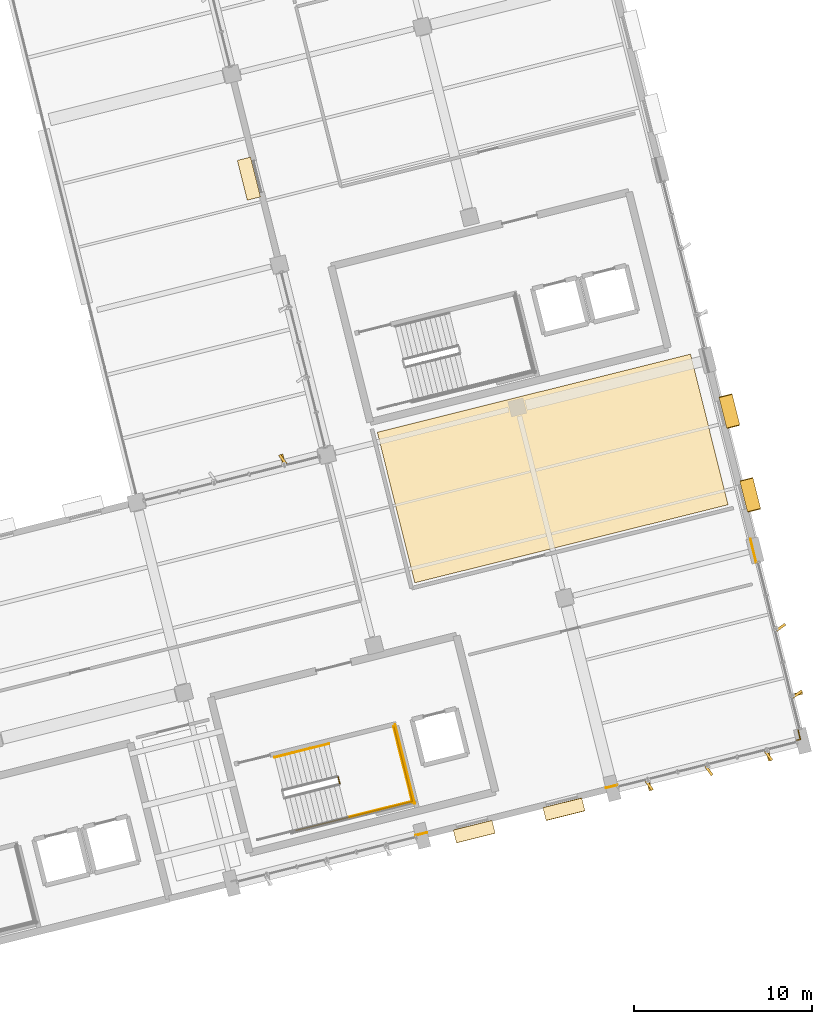
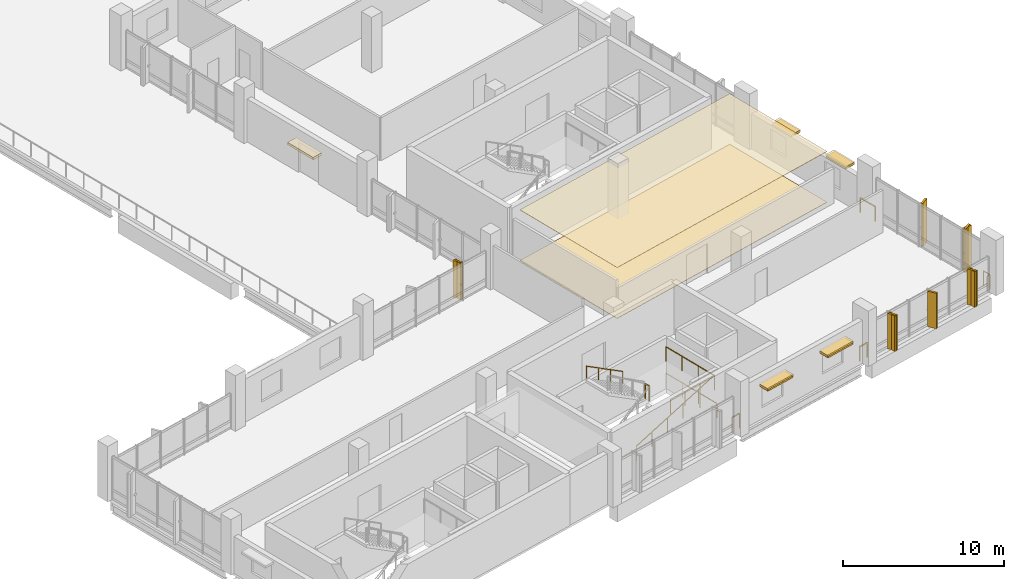
# One storey, part 40 of 42: 11 coverings, 10 railings, 10 shading devices.
"""IFC4 building model written with IfcOpenShell, lengths in metres."""

from ifc_helpers import new_model, si_unit, direction, frame, origin, origin_2d, place, context, subcontext, project, spatial, polyline, rectangle, outline, extrude, material, layer, layer_set, type_object, element, save


model = new_model("IFC4")

# Units and contexts
model_context = context("Model", 3, precision=1e-05, world=origin(), true_north=direction((0.0, 1.0)))
body_context = subcontext(model_context, "Body", "Model", "MODEL_VIEW")
ifc_project = project(units=[si_unit("LENGTHUNIT", "METRE"), si_unit("AREAUNIT", "SQUARE_METRE"), si_unit("VOLUMEUNIT", "CUBIC_METRE"), si_unit("PLANEANGLEUNIT", "RADIAN"), si_unit("MASSUNIT", "GRAM", prefix="KILO")], contexts=[model_context])

# Site, building, storey
site_placement = place(None, origin())
site = spatial("IfcSite", under=ifc_project, at=site_placement, CompositionType="ELEMENT")
building_placement = place(site_placement, origin())
building = spatial("IfcBuilding", under=site, at=building_placement, Name="Khorjan Park Terminus", CompositionType="ELEMENT")
storey_placement = place(building_placement, frame((0.0, 0.0, 20.4)))
storey = spatial("IfcBuildingStorey", under=building, at=storey_placement, Name="L04", CompositionType="ELEMENT", Elevation=20.4)

# Coverings
ifc_material_1 = material(Name="Perforated Acoustic Aluminium Baffle Ceiling", Category="aluminium")
ifc_layer_1 = layer(ifc_material_1, 0.03)
ifc_layer_set_1 = layer_set([ifc_layer_1], Name="Perforated Acoustic Aluminium Baffle Ceiling")
covering_type_1 = type_object("IfcCoveringType", Name="CV-CLG-ACS", PredefinedType="CEILING", material=ifc_layer_set_1)
covering_1_placement = place(storey_placement, frame((0.0, 0.0, 3.845)))
element("IfcCovering", 1, at=covering_1_placement, inside=storey, type_object=covering_type_1, Name="Flush acoustic baffle ceiling AC-60 (L04-SIM)", PredefinedType="CEILING", context=body_context, shape_type="SweptSolid", body=[
    extrude(outline(polyline([(225.8641, 31.1998), (208.3018, 26.8211), (206.1971, 35.2626), (223.7594, 39.6413), (225.8641, 31.1998)])), origin(), (0.0, 0.0, 1.0), 0.03),
])
ifc_material_2 = material(Name="Pigmented Precast GRC", Category="concrete")
ifc_layer_2 = layer(ifc_material_2, 0.16)
ifc_layer_set_2 = layer_set([ifc_layer_2], Name="Pigmented Precast GRC")
covering_type_2 = type_object("IfcCoveringType", Name="CV-FIN-GRC", PredefinedType="CLADDING", material=ifc_layer_set_2)
for number, where, z_axis, x_axis, name in (
    (2, (221.4444, 15.4579, -0.02), (0.0, 0.0, 1.0), (-0.2419218956, 0.970295726276, 0.0), "Projecting desert-sandstone GRC facade fin CL-FN1 (CW-V5-S-L04-B05-1)"),
    (3, (228.1335, 17.1257, -0.02), (0.0, 0.0, 1.0), (-0.2419218956, 0.970295726276, 0.0), "Projecting desert-sandstone GRC facade fin CL-FN1 (CW-V5-S-L04-B05-5)"),
):
    element("IfcCovering", number, at=place(storey_placement, frame(where, z_axis=z_axis, x_axis=x_axis)), inside=storey, type_object=covering_type_2, Name=name, PredefinedType="CLADDING", context=body_context, shape_type="SweptSolid", body=[
        extrude(rectangle(XDim=0.58, YDim=0.16, at=origin_2d()), origin(), (0.0, 0.0, 1.0), 2.69),
    ])
covering_2_placement = place(storey_placement, frame((229.7531, 20.5833, -0.02), z_axis=(0.0, 0.0, 1.0), x_axis=(-0.970295726276, -0.2419218956, 0.0)))
element("IfcCovering", 4, at=covering_2_placement, inside=storey, type_object=covering_type_2, Name="Projecting desert-sandstone GRC facade fin CL-FN1 (CW-V5-E-L04-B01-1)", PredefinedType="CLADDING", context=body_context, shape_type="SweptSolid", body=[
    extrude(rectangle(XDim=0.58, YDim=0.16, at=origin_2d()), origin(), (0.0, 0.0, 1.0), 3.295),
])
covering_3_placement = place(storey_placement, frame((200.8999, 33.7409, -0.02), z_axis=(0.0, 0.0, 1.0), x_axis=(0.2419218956, -0.970295726276, 0.0)))
element("IfcCovering", 5, at=covering_3_placement, inside=storey, type_object=covering_type_2, Name="Projecting desert-sandstone GRC facade fin CL-FN1 (CW-V5-NW2-L04-B01-1)", PredefinedType="CLADDING", context=body_context, shape_type="SweptSolid", body=[
    extrude(rectangle(XDim=0.58, YDim=0.16, at=origin_2d()), origin(), (0.0, 0.0, 1.0), 2.785),
])
ifc_material_3 = material(Name="Polished Desert Limestone Terrazzo", Category="masonry")
ifc_layer_3 = layer(ifc_material_3, 0.035)
ifc_layer_set_3 = layer_set([ifc_layer_3], Name="Polished Desert Limestone Terrazzo")
covering_type_3 = type_object("IfcCoveringType", Name="CV-FLR-TRZ", PredefinedType="FLOORING", material=ifc_layer_set_3)
covering_4_placement = place(storey_placement, origin())
element("IfcCovering", 6, at=covering_4_placement, inside=storey, type_object=covering_type_3, Name="Architectural floor finish FF-TRZ (L04-SIM)", PredefinedType="FLOORING", context=body_context, shape_type="SweptSolid", body=[
    extrude(outline(polyline([(225.8641, 31.1998), (208.3018, 26.8211), (206.1971, 35.2626), (223.7594, 39.6413), (225.8641, 31.1998)])), origin(), (0.0, 0.0, 1.0), 0.035),
])
ifc_layer_4 = layer(ifc_material_2, 0.18)
ifc_layer_set_4 = layer_set([ifc_layer_4], Name="Pigmented Precast GRC")
covering_type_4 = type_object("IfcCoveringType", Name="CV-HOOD-GRC", PredefinedType="CLADDING", material=ifc_layer_set_4)
for number, where, z_axis, x_axis, name in (
    (7, (211.6326, 12.8725, 2.58), (0.0, 0.0, 1.0), (0.970297165188, 0.241916124366, 0.0), "Projecting desert-sandstone GRC window eyebrow CL-HD1 (EW-V5-S-L04-B04-1)"),
    (8, (216.6635, 14.1268, 2.58), (0.0, 0.0, 1.0), (0.970297165188, 0.241916124366, 0.0), "Projecting desert-sandstone GRC window eyebrow CL-HD1 (EW-V5-S-L04-B04-2)"),
):
    element("IfcCovering", number, at=place(storey_placement, frame(where, z_axis=z_axis, x_axis=x_axis)), inside=storey, type_object=covering_type_4, Name=name, PredefinedType="CLADDING", context=body_context, shape_type="SweptSolid", body=[
        extrude(rectangle(XDim=2.24, YDim=0.74, at=origin_2d()), origin(), (0.0, 0.0, 1.0), 0.16),
    ])
for number, where, z_axis, x_axis, name in (
    (9, (227.1081, 31.7494, 2.43), (0.0, 0.0, 1.0), (-0.241919949632, 0.970296211458, 0.0), "Projecting desert-sandstone GRC window eyebrow CL-HD1 (EW-V5-E-L04-B02-1)"),
    (10, (225.9385, 36.4407, 2.43), (0.0, 0.0, 1.0), (-0.241919949632, 0.970296211458, 0.0), "Projecting desert-sandstone GRC window eyebrow CL-HD1 (EW-V5-E-L04-B02-2)"),
):
    element("IfcCovering", number, at=place(storey_placement, frame(where, z_axis=z_axis, x_axis=x_axis)), inside=storey, type_object=covering_type_4, Name=name, PredefinedType="CLADDING", context=body_context, shape_type="SweptSolid", body=[
        extrude(rectangle(XDim=1.84, YDim=0.74, at=origin_2d()), origin(), (0.0, 0.0, 1.0), 0.16),
    ])
covering_5_placement = place(storey_placement, frame((198.999, 49.479, 2.31), z_axis=(0.0, 0.0, 1.0), x_axis=(0.241924839689, -0.970294992227, 0.0)))
element("IfcCovering", 11, at=covering_5_placement, inside=storey, type_object=covering_type_4, Name="Projecting pigmented-GRC entrance canopy hood CL-HD1 (EW-V5-NW1-L04-B02)", PredefinedType="CLADDING", context=body_context, shape_type="SweptSolid", body=[
    extrude(rectangle(XDim=2.3, YDim=0.76, at=origin_2d()), origin(), (0.0, 0.0, 1.0), 0.18),
])

# Railings
ifc_material_4 = material(Name="Steel S355", Category="steel")
railing_type_1 = type_object("IfcRailingType", Name="GR-112", PredefinedType="GUARDRAIL", material=ifc_material_4)
railing_1_placement = place(storey_placement, frame((204.094, 15.5688, 2.1)))
element("IfcRailing", 12, at=railing_1_placement, inside=storey, type_object=railing_type_1, Name="L04 ST-05 stair guard 2", PredefinedType="GUARDRAIL", context=body_context, shape_type="SweptSolid", body=[
    extrude(rectangle(XDim=0.048, YDim=0.048, at=origin_2d()), frame((0.0, 0.0, 1.096), z_axis=(-0.241947338122, 0.970289382388, 0.0), x_axis=(-0.970289382388, -0.241947338122, 0.0)), (0.0, 0.0, 1.0), 0.36),
    extrude(rectangle(XDim=0.042, YDim=0.042, at=origin_2d()), origin(), (0.0, 0.0, 1.0), 1.072),
    extrude(rectangle(XDim=0.042, YDim=0.042, at=origin_2d()), frame((-0.0871, 0.3493, 0.0)), (0.0, 0.0, 1.0), 1.072),
])
railing_2_placement = place(storey_placement, frame((204.5172, 13.6646, 2.1)))
element("IfcRailing", 13, at=railing_2_placement, inside=storey, type_object=railing_type_1, Name="L04 ST-05 stair guard 3", PredefinedType="GUARDRAIL", context=body_context, shape_type="SweptSolid", body=[
    extrude(rectangle(XDim=0.048, YDim=0.048, at=origin_2d()), frame((0.0, 0.0, 1.096), z_axis=(0.970296897562, 0.241917197781, 0.0), x_axis=(-0.241917197781, 0.970296897562, 0.0)), (0.0, 0.0, 1.0), 3.805),
    extrude(rectangle(XDim=0.042, YDim=0.042, at=origin_2d()), origin(), (0.0, 0.0, 1.0), 1.072),
    extrude(rectangle(XDim=0.042, YDim=0.042, at=origin_2d()), frame((1.2307, 0.3068, 0.0)), (0.0, 0.0, 1.0), 1.072),
    extrude(rectangle(XDim=0.042, YDim=0.042, at=origin_2d()), frame((2.4613, 0.6137, 0.0)), (0.0, 0.0, 1.0), 1.072),
    extrude(rectangle(XDim=0.042, YDim=0.042, at=origin_2d()), frame((3.692, 0.9205, 0.0)), (0.0, 0.0, 1.0), 1.072),
])
railing_3_placement = place(storey_placement, frame((208.1727, 14.5245, 2.1)))
element("IfcRailing", 14, at=railing_3_placement, inside=storey, type_object=railing_type_1, Name="L04 ST-05 stair guard 4", PredefinedType="GUARDRAIL", context=body_context, shape_type="SweptSolid", body=[
    extrude(rectangle(XDim=0.048, YDim=0.048, at=origin_2d()), frame((0.0, 0.0, 1.096), z_axis=(-0.241904163851, 0.970300147125, 0.0), x_axis=(-0.970300147125, -0.241904163851, 0.0)), (0.0, 0.0, 1.0), 4.36),
    extrude(rectangle(XDim=0.042, YDim=0.042, at=origin_2d()), origin(), (0.0, 0.0, 1.0), 1.072),
    extrude(rectangle(XDim=0.042, YDim=0.042, at=origin_2d()), frame((-0.3516, 1.4102, 0.0)), (0.0, 0.0, 1.0), 1.072),
    extrude(rectangle(XDim=0.042, YDim=0.042, at=origin_2d()), frame((-0.7031, 2.8203, 0.0)), (0.0, 0.0, 1.0), 1.072),
    extrude(rectangle(XDim=0.042, YDim=0.042, at=origin_2d()), frame((-1.0547, 4.2305, 0.0)), (0.0, 0.0, 1.0), 1.072),
])
railing_4_placement = place(storey_placement, frame((208.294, 14.4517, 0.0)))
element("IfcRailing", 15, at=railing_4_placement, inside=storey, type_object=railing_type_1, Name="L04 ST-05 stair guard 9", PredefinedType="GUARDRAIL", context=body_context, shape_type="SweptSolid", body=[
    extrude(rectangle(XDim=0.048, YDim=0.048, at=origin_2d()), frame((0.0, 0.0, 1.096), z_axis=(-0.24193185783, 0.970293242359, 0.0), x_axis=(-0.970293242359, -0.24193185783, 0.0)), (0.0, 0.0, 1.0), 4.56),
    extrude(rectangle(XDim=0.042, YDim=0.042, at=origin_2d()), origin(), (0.0, 0.0, 1.0), 1.072),
    extrude(rectangle(XDim=0.042, YDim=0.042, at=origin_2d()), frame((-0.3677, 1.4748, 0.0)), (0.0, 0.0, 1.0), 1.072),
    extrude(rectangle(XDim=0.042, YDim=0.042, at=origin_2d()), frame((-0.7355, 2.9497, 0.0)), (0.0, 0.0, 1.0), 1.072),
    extrude(rectangle(XDim=0.042, YDim=0.042, at=origin_2d()), frame((-1.1032, 4.4245, 0.0)), (0.0, 0.0, 1.0), 1.072),
])
railing_5_placement = place(storey_placement, frame((201.6524, 12.94, 0.0)))
element("IfcRailing", 16, at=railing_5_placement, inside=storey, type_object=railing_type_1, Name="Core K5 stair side & landing guard GR-112 (L04)", PredefinedType="GUARDRAIL", context=body_context, shape_type="SweptSolid", body=[
    extrude(rectangle(XDim=0.048, YDim=0.048, at=origin_2d()), frame((0.0, 0.0, 1.096), z_axis=(0.926128560381, 0.230907183702, 0.298274642169), x_axis=(-0.241919330403, 0.970296365848, 0.0)), (0.0, 0.0, 1.0), 7.0405),
    extrude(rectangle(XDim=0.048, YDim=0.048, at=origin_2d()), frame((6.5204, 1.6257, 3.196), z_axis=(-0.2419363556, 0.970292120879, 0.0), x_axis=(-0.970292120879, -0.2419363556, 0.0)), (0.0, 0.0, 1.0), 4.2801),
    extrude(rectangle(XDim=0.042, YDim=0.042, at=origin_2d()), origin(), (0.0, 0.0, 1.0), 1.072),
    extrude(rectangle(XDim=0.042, YDim=0.042, at=origin_2d()), frame((1.3041, 0.3251, 0.42)), (0.0, 0.0, 1.0), 1.072),
    extrude(rectangle(XDim=0.042, YDim=0.042, at=origin_2d()), frame((2.6082, 0.6503, 0.84)), (0.0, 0.0, 1.0), 1.072),
    extrude(rectangle(XDim=0.042, YDim=0.042, at=origin_2d()), frame((3.9122, 0.9754, 1.26)), (0.0, 0.0, 1.0), 1.072),
    extrude(rectangle(XDim=0.042, YDim=0.042, at=origin_2d()), frame((5.2163, 1.3006, 1.68)), (0.0, 0.0, 1.0), 1.072),
    extrude(rectangle(XDim=0.042, YDim=0.042, at=origin_2d()), frame((6.5204, 1.6257, 2.1)), (0.0, 0.0, 1.0), 1.072),
    extrude(rectangle(XDim=0.042, YDim=0.042, at=origin_2d()), frame((6.1752, 3.01, 2.1)), (0.0, 0.0, 1.0), 1.072),
    extrude(rectangle(XDim=0.042, YDim=0.042, at=origin_2d()), frame((5.8301, 4.3943, 2.1)), (0.0, 0.0, 1.0), 1.072),
    extrude(rectangle(XDim=0.042, YDim=0.042, at=origin_2d()), frame((5.4849, 5.7786, 2.1)), (0.0, 0.0, 1.0), 1.072),
])
railing_6_placement = place(storey_placement, frame((208.9745, 12.8178, 0.0)))
element("IfcRailing", 17, at=railing_6_placement, inside=storey, type_object=railing_type_1, Name="Perimeter safety guard GR-112 (L04-98)", PredefinedType="GUARDRAIL", context=body_context, shape_type="SweptSolid", body=[
    extrude(rectangle(XDim=0.048, YDim=0.048, at=origin_2d()), frame((0.0, 0.0, 1.096), z_axis=(-0.970270049618, -0.242024855777, 0.0), x_axis=(0.242024855777, -0.970270049618, 0.0)), (0.0, 0.0, 1.0), 0.645),
    extrude(rectangle(XDim=0.042, YDim=0.042, at=origin_2d()), origin(), (0.0, 0.0, 1.0), 1.072),
    extrude(rectangle(XDim=0.042, YDim=0.042, at=origin_2d()), frame((-0.6258, -0.1561, 0.0)), (0.0, 0.0, 1.0), 1.072),
])
railing_7_placement = place(storey_placement, frame((219.6621, 15.4825, 0.0)))
element("IfcRailing", 18, at=railing_7_placement, inside=storey, type_object=railing_type_1, Name="Perimeter safety guard GR-112 (L04-99)", PredefinedType="GUARDRAIL", context=body_context, shape_type="SweptSolid", body=[
    extrude(rectangle(XDim=0.048, YDim=0.048, at=origin_2d()), frame((0.0, 0.0, 1.096), z_axis=(-0.970279129475, -0.241988452007, 0.0), x_axis=(0.241988452007, -0.970279129475, 0.0)), (0.0, 0.0, 1.0), 0.6451),
    extrude(rectangle(XDim=0.042, YDim=0.042, at=origin_2d()), origin(), (0.0, 0.0, 1.0), 1.072),
    extrude(rectangle(XDim=0.042, YDim=0.042, at=origin_2d()), frame((-0.6259, -0.1561, 0.0)), (0.0, 0.0, 1.0), 1.072),
])
railing_8_placement = place(storey_placement, frame((227.1205, 29.2611, 0.0)))
element("IfcRailing", 19, at=railing_8_placement, inside=storey, type_object=railing_type_1, Name="Perimeter safety guard GR-112 (L04-103)", PredefinedType="GUARDRAIL", context=body_context, shape_type="SweptSolid", body=[
    extrude(rectangle(XDim=0.048, YDim=0.048, at=origin_2d()), frame((0.0, 0.0, 1.096), z_axis=(0.241870763547, -0.970308473498, 0.0), x_axis=(0.970308473498, 0.241870763547, 0.0)), (0.0, 0.0, 1.0), 1.3449),
    extrude(rectangle(XDim=0.042, YDim=0.042, at=origin_2d()), origin(), (0.0, 0.0, 1.0), 1.072),
    extrude(rectangle(XDim=0.042, YDim=0.042, at=origin_2d()), frame((0.3253, -1.305, 0.0)), (0.0, 0.0, 1.0), 1.072),
])
railing_9_placement = place(storey_placement, frame((229.7779, 18.6025, 0.0)))
element("IfcRailing", 20, at=railing_9_placement, inside=storey, type_object=railing_type_1, Name="Perimeter safety guard GR-112 (L04-104)", PredefinedType="GUARDRAIL", context=body_context, shape_type="SweptSolid", body=[
    extrude(rectangle(XDim=0.048, YDim=0.048, at=origin_2d()), frame((0.0, 0.0, 1.096), z_axis=(0.242008337937, -0.970274169691, 0.0), x_axis=(0.970274169691, 0.242008337937, 0.0)), (0.0, 0.0, 1.0), 0.5801),
    extrude(rectangle(XDim=0.048, YDim=0.048, at=origin_2d()), frame((0.1404, -0.5629, 1.096), z_axis=(-0.970321643882, -0.241817922027, 0.0), x_axis=(0.241817922027, -0.970321643882, 0.0)), (0.0, 0.0, 1.0), 0.2295),
    extrude(rectangle(XDim=0.042, YDim=0.042, at=origin_2d()), origin(), (0.0, 0.0, 1.0), 1.072),
    extrude(rectangle(XDim=0.042, YDim=0.042, at=origin_2d()), frame((0.1404, -0.5629, 0.0)), (0.0, 0.0, 1.0), 1.072),
    extrude(rectangle(XDim=0.042, YDim=0.042, at=origin_2d()), frame((-0.0823, -0.6184, 0.0)), (0.0, 0.0, 1.0), 1.072),
])
railing_type_2 = type_object("IfcRailingType", Name="HR-92", PredefinedType="HANDRAIL", material=ifc_material_4)
railing_10_placement = place(storey_placement, frame((203.4866, 17.7981, 2.275)))
element("IfcRailing", 21, at=railing_10_placement, inside=storey, type_object=railing_type_2, Name="L04 ST-05 stair handrail 2", PredefinedType="HANDRAIL", context=body_context, shape_type="SweptSolid", body=[
    extrude(rectangle(XDim=0.048, YDim=0.048, at=origin_2d()), frame((0.0, 0.0, 0.896), z_axis=(-0.826856598391, -0.206177300332, 0.523258145206), x_axis=(0.241942661201, -0.970290548594, 0.0)), (0.0, 0.0, 1.0), 3.6789),
    extrude(rectangle(XDim=0.042, YDim=0.042, at=origin_2d()), origin(), (0.0, 0.0, 1.0), 0.872),
    extrude(rectangle(XDim=0.042, YDim=0.042, at=origin_2d()), frame((-1.014, -0.2528, 0.6417)), (0.0, 0.0, 1.0), 0.872),
    extrude(rectangle(XDim=0.042, YDim=0.042, at=origin_2d()), frame((-2.0279, -0.5057, 1.2833)), (0.0, 0.0, 1.0), 0.872),
    extrude(rectangle(XDim=0.042, YDim=0.042, at=origin_2d()), frame((-3.0419, -0.7585, 1.925)), (0.0, 0.0, 1.0), 0.872),
])

# Shading devices
ifc_material_5 = material(Name="Anodized Bronze Aluminium", Category="aluminium")
shading_device_type_1 = type_object("IfcShadingDeviceType", Name="SD-FIN-620", PredefinedType="JALOUSIE", material=ifc_material_5)
for number, where, z_axis, x_axis, name in (
    (22, (221.4444, 15.4579, -0.02), (0.0, 0.0, 1.0), (-0.587785252292, 0.809016994375, 0.0), "Angled solar brise-soleil fin SF-62 (CW-V5-S-L04-B05-1)"),
    (23, (224.7889, 16.2918, -0.02), (0.0, 0.0, 1.0), (-0.587785252292, 0.809016994375, 0.0), "Angled solar brise-soleil fin SF-62 (CW-V5-S-L04-B05-3)"),
    (24, (228.1335, 17.1257, -0.02), (0.0, 0.0, 1.0), (-0.587785252292, 0.809016994375, 0.0), "Angled solar brise-soleil fin SF-62 (CW-V5-S-L04-B05-5)"),
):
    element("IfcShadingDevice", number, at=place(storey_placement, frame(where, z_axis=z_axis, x_axis=x_axis)), inside=storey, type_object=shading_device_type_1, Name=name, PredefinedType="JALOUSIE", context=body_context, shape_type="SweptSolid", body=[
        extrude(rectangle(XDim=0.62, YDim=0.14, at=origin_2d()), origin(), (0.0, 0.0, 1.0), 2.69),
    ])
for number, where, z_axis, x_axis, name in (
    (25, (229.7531, 20.5833, -0.02), (0.0, 0.0, 1.0), (-0.809016994375, -0.587785252292, 0.0), "Angled solar brise-soleil fin SF-62 (CW-V5-E-L04-B01-1)"),
    (26, (228.8202, 24.3248, -0.02), (0.0, 0.0, 1.0), (-0.809016994375, -0.587785252292, 0.0), "Angled solar brise-soleil fin SF-62 (CW-V5-E-L04-B01-3)"),
):
    element("IfcShadingDevice", number, at=place(storey_placement, frame(where, z_axis=z_axis, x_axis=x_axis)), inside=storey, type_object=shading_device_type_1, Name=name, PredefinedType="JALOUSIE", context=body_context, shape_type="SweptSolid", body=[
        extrude(rectangle(XDim=0.62, YDim=0.14, at=origin_2d()), origin(), (0.0, 0.0, 1.0), 3.295),
    ])
shading_device_placement = place(storey_placement, frame((200.8999, 33.7409, -0.02), z_axis=(0.0, 0.0, 1.0), x_axis=(0.587785252292, -0.809016994375, 0.0)))
element("IfcShadingDevice", 27, at=shading_device_placement, inside=storey, type_object=shading_device_type_1, Name="Angled solar brise-soleil fin SF-62 (CW-V5-NW2-L04-B01-1)", PredefinedType="JALOUSIE", context=body_context, shape_type="SweptSolid", body=[
    extrude(rectangle(XDim=0.62, YDim=0.14, at=origin_2d()), origin(), (0.0, 0.0, 1.0), 2.785),
])
shading_device_type_2 = type_object("IfcShadingDeviceType", Name="SD-SUN-750", PredefinedType="SHUTTER", material=ifc_material_5)
for number, where, z_axis, x_axis, name in (
    (28, (211.6326, 12.8725, 2.51), (0.0, 0.0, 1.0), (0.970297165188, 0.241916124366, 0.0), "Projecting solar overhang hood SH-75 (EW-V5-S-L04-B04-1)"),
    (29, (216.6635, 14.1268, 2.51), (0.0, 0.0, 1.0), (0.970297165188, 0.241916124366, 0.0), "Projecting solar overhang hood SH-75 (EW-V5-S-L04-B04-2)"),
):
    element("IfcShadingDevice", number, at=place(storey_placement, frame(where, z_axis=z_axis, x_axis=x_axis)), inside=storey, type_object=shading_device_type_2, Name=name, PredefinedType="SHUTTER", context=body_context, shape_type="SweptSolid", body=[
        extrude(rectangle(XDim=2.16, YDim=0.76, at=origin_2d()), origin(), (0.0, 0.0, 1.0), 0.14),
    ])
for number, where, z_axis, x_axis, name in (
    (30, (227.1081, 31.7494, 2.36), (0.0, 0.0, 1.0), (-0.241919949632, 0.970296211458, 0.0), "Projecting solar overhang hood SH-75 (EW-V5-E-L04-B02-1)"),
    (31, (225.9385, 36.4407, 2.36), (0.0, 0.0, 1.0), (-0.241919949632, 0.970296211458, 0.0), "Projecting solar overhang hood SH-75 (EW-V5-E-L04-B02-2)"),
):
    element("IfcShadingDevice", number, at=place(storey_placement, frame(where, z_axis=z_axis, x_axis=x_axis)), inside=storey, type_object=shading_device_type_2, Name=name, PredefinedType="SHUTTER", context=body_context, shape_type="SweptSolid", body=[
        extrude(rectangle(XDim=1.76, YDim=0.76, at=origin_2d()), origin(), (0.0, 0.0, 1.0), 0.14),
    ])

save(model, "model.ifc")
